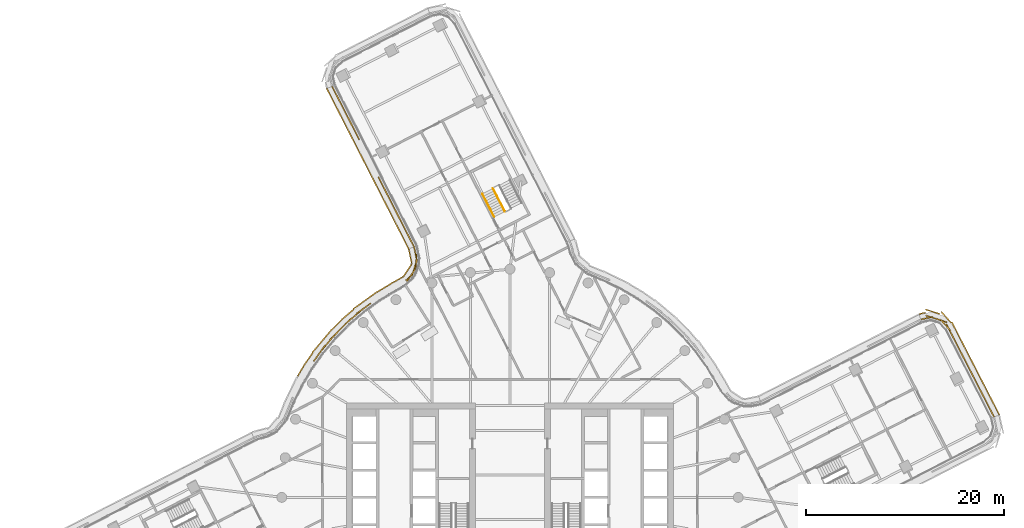
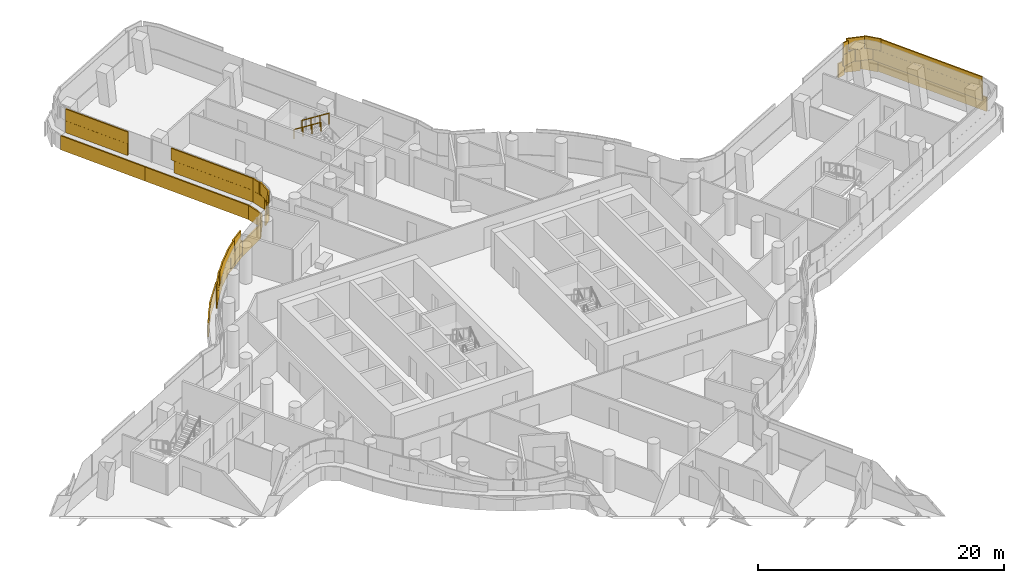
# One storey, part 34 of 37: 4 coverings, 2 railings.
"""IFC4 building model written with IfcOpenShell, lengths in metres."""

import ifcopenshell
import ifcopenshell.guid

model = None  # the IFC model being written
_history = None  # IfcOwnerHistory: only IFC2X3 demands one
_inside = {}  # id of a spatial element -> (the spatial element, [elements in it])
_under = {}  # id of a project, library or spatial element -> (it, [spatial elements below it])
_declared = {}  # id of a project -> (the project, [libraries it declares])
_typed = {}  # id of a type object -> (the type object, [elements of that type])
_made_of = {}  # id of a material, layer set ... -> (it, [elements and type objects made of it])


def new_model(schema):
    """Start an empty IFC model of exactly this schema.

    Asked for "IFC4X3", IfcOpenShell would pick the latest addendum, in which some entities
    have other attributes; the version numbers below select the first issue.
    IFC2X3 requires an IfcOwnerHistory on every rooted entity: one is made here for all.
    """
    global model, _history
    if schema == "IFC4X3":
        model = ifcopenshell.file(schema_version=(4, 3, 0, 0))
    else:
        model = ifcopenshell.file(schema=schema)
    _inside.clear()
    _under.clear()
    _declared.clear()
    _typed.clear()
    _made_of.clear()
    _history = None
    if model.schema == "IFC2X3":
        org = make("IfcOrganization", Name="unknown")
        user = make(
            "IfcPersonAndOrganization",
            ThePerson=make("IfcPerson", FamilyName="unknown"),
            TheOrganization=org,
        )
        app = make(
            "IfcApplication",
            ApplicationDeveloper=org,
            Version="unknown",
            ApplicationFullName="unknown",
            ApplicationIdentifier="unknown",
        )
        _history = make(
            "IfcOwnerHistory",
            OwningUser=user,
            OwningApplication=app,
            ChangeAction="ADDED",
            CreationDate=0,
        )
    return model


def make(cls, **values):
    """One entity of the class cls with the attributes given. An attribute that is None is left unset."""
    return model.create_entity(
        cls, **{name: value for name, value in values.items() if value is not None}
    )


def rooted(cls, **values):
    """An entity with a GlobalId (a new one), such as an element, a storey or a relation."""
    return make(cls, GlobalId=ifcopenshell.guid.new(), OwnerHistory=_history, **values)


def si_unit(unit_type, name, prefix=None):
    """IfcSIUnit, for example si_unit("LENGTHUNIT", "METRE", prefix="MILLI")."""
    return make("IfcSIUnit", UnitType=unit_type, Prefix=prefix, Name=name)


def assignment(units):
    """IfcUnitAssignment: the units of a project."""
    return None if units is None else make("IfcUnitAssignment", Units=units)


def point(xyz):
    """IfcCartesianPoint."""
    return None if xyz is None else make("IfcCartesianPoint", Coordinates=xyz)


def direction(xyz):
    """IfcDirection."""
    return None if xyz is None else make("IfcDirection", DirectionRatios=xyz)


def frame(location, z_axis=None, x_axis=None):
    """IfcAxis2Placement3D, a coordinate frame: its origin and axes. An axis left out is left unset."""
    return make(
        "IfcAxis2Placement3D",
        Location=point(location),
        Axis=direction(z_axis),
        RefDirection=direction(x_axis),
    )


def frame_2d(location, x_axis=None):
    """IfcAxis2Placement2D, a coordinate frame in the plane: its origin and x axis."""
    return make(
        "IfcAxis2Placement2D", Location=point(location), RefDirection=direction(x_axis)
    )


def origin():
    """The frame at (0, 0, 0) with its axes left unset."""
    return frame((0.0, 0.0, 0.0))


def origin_2d():
    """The frame at (0, 0) in the plane with its x axis left unset."""
    return frame_2d((0.0, 0.0))


def place(relative_to, where):
    """IfcLocalPlacement: puts the frame where relative to a parent placement (None: the world)."""
    return make(
        "IfcLocalPlacement", PlacementRelTo=relative_to, RelativePlacement=where
    )


def context(
    kind, dimensions, precision=None, world=None, true_north=None, identifier=None
):
    """IfcGeometricRepresentationContext, for example the 3D "Model" context."""
    return make(
        "IfcGeometricRepresentationContext",
        ContextIdentifier=identifier,
        ContextType=kind,
        CoordinateSpaceDimension=dimensions,
        Precision=precision,
        WorldCoordinateSystem=world,
        TrueNorth=true_north,
    )


def subcontext(parent, identifier, kind, view, scale=None):
    """IfcGeometricRepresentationSubContext, for example "Body" below "Model"."""
    return make(
        "IfcGeometricRepresentationSubContext",
        ContextIdentifier=identifier,
        ContextType=kind,
        ParentContext=parent,
        TargetScale=scale,
        TargetView=view,
    )


def project(units=None, contexts=None):
    """IfcProject with its units and contexts."""
    return rooted(
        "IfcProject",
        Name="project",
        RepresentationContexts=contexts,
        UnitsInContext=assignment(units),
    )


def spatial(cls, under=None, at=None, **own):
    """A site, building, storey or space (cls), placed at a placement, below another one or the project."""
    s = rooted(cls, ObjectPlacement=at, **own)
    if under is not None:
        _under.setdefault(under.id(), (under, []))[1].append(s)
    return s


def profile(cls, at=None, kind="AREA", **sizes):
    """A parametric profile (cls). Its sizes go by their IFC names, for example OverallWidth=200.0."""
    return make(cls, ProfileType=kind, Position=at, **sizes)


def rectangle(**sizes):
    """IfcRectangleProfileDef."""
    return profile("IfcRectangleProfileDef", **sizes)


def circle(**sizes):
    """IfcCircleProfileDef."""
    return profile("IfcCircleProfileDef", **sizes)


def extrude(swept, where, along, depth):
    """IfcExtrudedAreaSolid: the profile swept, set in the frame where, extruded along a direction by depth."""
    return make(
        "IfcExtrudedAreaSolid",
        SweptArea=swept,
        Position=where,
        ExtrudedDirection=direction(along),
        Depth=depth,
    )


def shape(context_of_items, identifier, shape_type, items):
    """IfcShapeRepresentation: the items that make up one representation, for example the "Body"."""
    return make(
        "IfcShapeRepresentation",
        ContextOfItems=context_of_items,
        RepresentationIdentifier=identifier,
        RepresentationType=shape_type,
        Items=items,
    )


def material(Name=None, Category=None):
    """IfcMaterial."""
    return make("IfcMaterial", Name=Name, Category=Category)


def layer(
    of_material, thickness, ventilated=None, Name=None, Category=None, Priority=None
):
    """IfcMaterialLayer: one layer of a wall or slab, of a material (None: an air gap)."""
    return make(
        "IfcMaterialLayer",
        Material=of_material,
        LayerThickness=thickness,
        IsVentilated=ventilated,
        Name=Name,
        Category=Category,
        Priority=Priority,
    )


def layer_set(layers, Name=None):
    """IfcMaterialLayerSet."""
    return make("IfcMaterialLayerSet", MaterialLayers=layers, LayerSetName=Name)


def made_of(thing, what):
    """Note that an element or type object is made of a material, layer set ...; save() writes the relation."""
    if what is not None:
        _made_of.setdefault(what.id(), (what, []))[1].append(thing)
    return thing


def type_object(cls, material=None, **own):
    """A type object (cls), such as IfcWallType, which elements share."""
    return made_of(rooted(cls, **own), material)


def element(
    cls,
    number,
    at=None,
    inside=None,
    cuts=None,
    type_object=None,
    material=None,
    context=None,
    identifier="Body",
    shape_type=None,
    held_by="IfcProductDefinitionShape",
    body=None,
    shapes=None,
    **own,
):
    """One element of the class cls, such as IfcWall. Its Tag is "e" and its number.

    at: its placement. inside: the storey or other place that contains it. cuts: it is an
    opening in that element (IfcRelVoidsElement). A single representation is given by context,
    identifier, shape_type and body (its items); several are given by shapes. held_by: the class
    of the entity that holds the representations. save() writes the other relations.
    """
    e = rooted(cls, Tag="e%d" % number, ObjectPlacement=at, **own)
    if body is not None:
        shapes = [shape(context, identifier, shape_type, body)]
    if shapes is not None:
        e.Representation = make(held_by, Representations=shapes)
    if inside is not None:
        _inside.setdefault(inside.id(), (inside, []))[1].append(e)
    if cuts is not None:
        rooted(
            "IfcRelVoidsElement", RelatingBuildingElement=cuts, RelatedOpeningElement=e
        )
    if type_object is not None:
        _typed.setdefault(type_object.id(), (type_object, []))[1].append(e)
    return made_of(e, material)


def aggregate(whole, parts):
    """IfcRelAggregates: a whole, such as a stair, and the parts it consists of."""
    return rooted("IfcRelAggregates", RelatingObject=whole, RelatedObjects=parts)


def save(model, path):
    """Write the relations noted so far, then the file.

    IfcRelAggregates (storeys below a building ...), IfcRelContainedInSpatialStructure (elements
    in a storey), IfcRelDefinesByType, IfcRelAssociatesMaterial and IfcRelDeclares: one each for
    every whole, place, type object, material and project.
    """
    for whole, parts in _under.values():
        aggregate(whole, parts)
    for where, things in _inside.values():
        rooted(
            "IfcRelContainedInSpatialStructure",
            RelatedElements=things,
            RelatingStructure=where,
        )
    for kind, things in _typed.values():
        rooted("IfcRelDefinesByType", RelatedObjects=things, RelatingType=kind)
    for what, things in _made_of.values():
        rooted("IfcRelAssociatesMaterial", RelatedObjects=things, RelatingMaterial=what)
    for by, libraries in _declared.values():
        rooted("IfcRelDeclares", RelatingContext=by, RelatedDefinitions=libraries)
    model.write(path)


model = new_model("IFC4")

# Units and contexts
model_context = context("Model", 3, precision=1e-05, world=origin(), true_north=direction((0.0, 1.0)))
body_context = subcontext(model_context, "Body", "Model", "MODEL_VIEW")
ifc_project = project(units=[si_unit("LENGTHUNIT", "METRE"), si_unit("AREAUNIT", "SQUARE_METRE"), si_unit("VOLUMEUNIT", "CUBIC_METRE"), si_unit("PLANEANGLEUNIT", "RADIAN"), si_unit("MASSUNIT", "GRAM", prefix="KILO")], contexts=[model_context])

# Site, building, storey
site_placement = place(None, origin())
site = spatial("IfcSite", under=ifc_project, at=site_placement, CompositionType="ELEMENT")
building_placement = place(site_placement, origin())
building = spatial("IfcBuilding", under=site, at=building_placement, Name="Tamarind Cross Interchange Tower", CompositionType="ELEMENT")
storey_placement = place(building_placement, frame((0.0, 0.0, 133.0)))
storey = spatial("IfcBuildingStorey", under=building, at=storey_placement, Name="L32", CompositionType="ELEMENT", Elevation=133.0)

# Railings
ifc_material_1 = material(Name="Stair guard")
railing_type_1 = type_object("IfcRailingType", Name="Stair guard", PredefinedType="GUARDRAIL", material=ifc_material_1)
railing_1_placement = place(storey_placement, frame((-1.70556640625, 31.128173828125, 2.04541015625)))
element("IfcRailing", 1, at=railing_1_placement, inside=storey, type_object=railing_type_1, Name="L32 ST4 stair guard 3", PredefinedType="GUARDRAIL", context=body_context, shape_type="SweptSolid", body=[
    extrude(circle(Radius=0.02392578125, at=origin_2d()), frame((0.0, 0.0, 1.076171875), z_axis=(0.381802773427, -0.744052093423, 0.548281975333), x_axis=(0.889702075766, 0.456541582309, 0.0)), (0.0, 0.0, 1.0), 3.10888671875),
    extrude(circle(Radius=0.02099609375, at=origin_2d()), origin(), (0.0, 0.0, 1.0), 1.052001953125),
    extrude(circle(Radius=0.02099609375, at=origin_2d()), frame((0.395751953125, -0.77099609375, 0.568115234375)), (0.0, 0.0, 1.0), 1.052001953125),
    extrude(circle(Radius=0.02099609375, at=origin_2d()), frame((0.791259765625, -1.542236328125, 1.136474609375)), (0.0, 0.0, 1.0), 1.052001953125),
    extrude(circle(Radius=0.02099609375, at=origin_2d()), frame((1.18701171875, -2.313232421875, 1.70458984375)), (0.0, 0.0, 1.0), 1.052001953125),
])
ifc_material_2 = material(Name="Stair handrail")
railing_type_2 = type_object("IfcRailingType", Name="Stair handrail", PredefinedType="HANDRAIL", material=ifc_material_2)
railing_2_placement = place(storey_placement, frame((-2.773193359375, 30.580322265625, 2.04541015625)))
element("IfcRailing", 2, at=railing_2_placement, inside=storey, type_object=railing_type_2, Name="L32 ST4 stair handrail 2", PredefinedType="HANDRAIL", context=body_context, shape_type="SweptSolid", body=[
    extrude(circle(Radius=0.02392578125, at=origin_2d()), frame((0.0, 0.0, 0.8759765625), z_axis=(0.381802773427, -0.744052093423, 0.548281975333), x_axis=(0.889702075766, 0.456541582309, 0.0)), (0.0, 0.0, 1.0), 3.10888671875),
    extrude(circle(Radius=0.02099609375, at=origin_2d()), origin(), (0.0, 0.0, 1.0), 0.851806640625),
    extrude(circle(Radius=0.02099609375, at=origin_2d()), frame((0.395751953125, -0.77099609375, 0.568115234375)), (0.0, 0.0, 1.0), 0.851806640625),
    extrude(circle(Radius=0.02099609375, at=origin_2d()), frame((0.791259765625, -1.542236328125, 1.136474609375)), (0.0, 0.0, 1.0), 0.851806640625),
    extrude(circle(Radius=0.02099609375, at=origin_2d()), frame((1.18701171875, -2.313232421875, 1.70458984375)), (0.0, 0.0, 1.0), 0.851806640625),
])

# Coverings
ifc_material_3 = material(Name="Terracotta", Category="masonry")
ifc_layer = layer(ifc_material_3, 0.1201171875)
ifc_layer_set = layer_set([ifc_layer], Name="Terracotta")
covering_type = type_object("IfcCoveringType", Name="Terracotta baguette screen unit", PredefinedType="MOLDING", material=ifc_layer_set)
covering_1_placement = place(storey_placement, origin())
element("IfcCovering", 3, at=covering_1_placement, inside=storey, type_object=covering_type, Name="SCR-L32-08-00", PredefinedType="MOLDING", context=body_context, shape_type="SweptSolid", body=[
    extrude(rectangle(XDim=1.510009765625, YDim=0.1201171875, at=origin_2d()), frame((48.431884765625, 8.7734375, 1.404052734375), z_axis=(0.0, 0.0, 1.0), x_axis=(-0.456551422638, 0.889697026233, 0.0)), (0.0, 0.0, 1.0), 1.1669921875),
    extrude(rectangle(XDim=1.52001953125, YDim=0.1201171875, at=origin_2d()), frame((47.7470703125, 10.10791015625, 1.404052734375), z_axis=(0.0, 0.0, 1.0), x_axis=(-0.456551422638, 0.889697026233, 0.0)), (0.0, 0.0, 1.0), 1.1669921875),
    extrude(rectangle(XDim=1.52001953125, YDim=0.1201171875, at=origin_2d()), frame((47.062255859375, 11.442626953125, 1.404052734375), z_axis=(0.0, 0.0, 1.0), x_axis=(-0.456551422638, 0.889697026233, 0.0)), (0.0, 0.0, 1.0), 1.1669921875),
    extrude(rectangle(XDim=1.52001953125, YDim=0.1201171875, at=origin_2d()), frame((46.37744140625, 12.777099609375, 1.404052734375), z_axis=(0.0, 0.0, 1.0), x_axis=(-0.456551422638, 0.889697026233, 0.0)), (0.0, 0.0, 1.0), 1.1669921875),
    extrude(rectangle(XDim=1.52001953125, YDim=0.1201171875, at=origin_2d()), frame((45.692626953125, 14.111572265625, 1.404052734375), z_axis=(0.0, 0.0, 1.0), x_axis=(-0.456551422638, 0.889697026233, 0.0)), (0.0, 0.0, 1.0), 1.1669921875),
    extrude(rectangle(XDim=1.52001953125, YDim=0.1201171875, at=origin_2d()), frame((45.0078125, 15.446044921875, 1.404052734375), z_axis=(0.0, 0.0, 1.0), x_axis=(-0.456551422638, 0.889697026233, 0.0)), (0.0, 0.0, 1.0), 1.1669921875),
    extrude(rectangle(XDim=1.52001953125, YDim=0.1201171875, at=origin_2d()), frame((44.322998046875, 16.78076171875, 1.404052734375), z_axis=(0.0, 0.0, 1.0), x_axis=(-0.456551422638, 0.889697026233, 0.0)), (0.0, 0.0, 1.0), 1.1669921875),
    extrude(rectangle(XDim=1.52001953125, YDim=0.1201171875, at=origin_2d()), frame((43.331298828125, 17.86572265625, 1.404052734375), z_axis=(0.0, 0.0, 1.0), x_axis=(-0.951941407358, 0.306280193543, 0.0)), (0.0, 0.0, 1.0), 1.1669921875),
    extrude(rectangle(XDim=1.259521484375, YDim=0.1201171875, at=origin_2d()), frame((42.01123046875, 18.05615234375, 1.404052734375), z_axis=(0.0, 0.0, 1.0), x_axis=(-0.977545538458, -0.210724275394, 0.0)), (0.0, 0.0, 1.0), 1.1669921875),
    extrude(rectangle(XDim=0.760009765625, YDim=0.1201171875, at=origin_2d()), frame((48.603271484375, 8.439697265625, 2.5791015625), z_axis=(0.0, 0.0, 1.0), x_axis=(-0.456551422638, 0.889697026233, 0.0)), (0.0, 0.0, 1.0), 1.1669921875),
    extrude(rectangle(XDim=1.52001953125, YDim=0.1201171875, at=origin_2d()), frame((48.089599609375, 9.440673828125, 2.5791015625), z_axis=(0.0, 0.0, 1.0), x_axis=(-0.456551422638, 0.889697026233, 0.0)), (0.0, 0.0, 1.0), 1.1669921875),
    extrude(rectangle(XDim=1.52001953125, YDim=0.1201171875, at=origin_2d()), frame((47.40478515625, 10.775146484375, 2.5791015625), z_axis=(0.0, 0.0, 1.0), x_axis=(-0.456551422638, 0.889697026233, 0.0)), (0.0, 0.0, 1.0), 1.1669921875),
    extrude(rectangle(XDim=1.52001953125, YDim=0.1201171875, at=origin_2d()), frame((46.719970703125, 12.10986328125, 2.5791015625), z_axis=(0.0, 0.0, 1.0), x_axis=(-0.456551422638, 0.889697026233, 0.0)), (0.0, 0.0, 1.0), 1.1669921875),
    extrude(rectangle(XDim=1.52001953125, YDim=0.1201171875, at=origin_2d()), frame((46.03515625, 13.4443359375, 2.5791015625), z_axis=(0.0, 0.0, 1.0), x_axis=(-0.456551422638, 0.889697026233, 0.0)), (0.0, 0.0, 1.0), 1.1669921875),
    extrude(rectangle(XDim=1.52001953125, YDim=0.1201171875, at=origin_2d()), frame((45.350341796875, 14.77880859375, 2.5791015625), z_axis=(0.0, 0.0, 1.0), x_axis=(-0.456551422638, 0.889697026233, 0.0)), (0.0, 0.0, 1.0), 1.1669921875),
    extrude(rectangle(XDim=1.52001953125, YDim=0.1201171875, at=origin_2d()), frame((44.66552734375, 16.113525390625, 2.5791015625), z_axis=(0.0, 0.0, 1.0), x_axis=(-0.456551422638, 0.889697026233, 0.0)), (0.0, 0.0, 1.0), 1.1669921875),
    extrude(rectangle(XDim=1.52001953125, YDim=0.1201171875, at=origin_2d()), frame((43.87841796875, 17.377197265625, 2.5791015625), z_axis=(0.0, 0.0, 1.0), x_axis=(-0.671265344915, 0.741217131964, 0.0)), (0.0, 0.0, 1.0), 1.1669921875),
    extrude(rectangle(XDim=1.52001953125, YDim=0.1201171875, at=origin_2d()), frame((42.617431640625, 18.095458984375, 2.5791015625), z_axis=(0.0, 0.0, 1.0), x_axis=(-0.951941407358, 0.306280193543, 0.0)), (0.0, 0.0, 1.0), 1.1669921875),
    extrude(rectangle(XDim=0.509521484375, YDim=0.1201171875, at=origin_2d()), frame((41.64453125, 17.97705078125, 2.5791015625), z_axis=(0.0, 0.0, 1.0), x_axis=(-0.977545538458, -0.210724275394, 0.0)), (0.0, 0.0, 1.0), 1.1669921875),
    extrude(rectangle(XDim=1.510009765625, YDim=0.1201171875, at=origin_2d()), frame((48.974853515625, 8.97265625, 0.00390625), z_axis=(0.0, 0.0, 1.0), x_axis=(-0.456551422638, 0.889697026233, 0.0)), (0.0, 0.0, 1.0), 1.39208984375),
    extrude(rectangle(XDim=1.52001953125, YDim=0.1201171875, at=origin_2d()), frame((48.292236328125, 10.302734375, 0.00390625), z_axis=(0.0, 0.0, 1.0), x_axis=(-0.456551422638, 0.889697026233, 0.0)), (0.0, 0.0, 1.0), 1.39208984375),
    extrude(rectangle(XDim=1.52001953125, YDim=0.1201171875, at=origin_2d()), frame((47.607421875, 11.637451171875, 0.00390625), z_axis=(0.0, 0.0, 1.0), x_axis=(-0.456551422638, 0.889697026233, 0.0)), (0.0, 0.0, 1.0), 1.39208984375),
    extrude(rectangle(XDim=1.52001953125, YDim=0.1201171875, at=origin_2d()), frame((46.922607421875, 12.971923828125, 0.00390625), z_axis=(0.0, 0.0, 1.0), x_axis=(-0.456551422638, 0.889697026233, 0.0)), (0.0, 0.0, 1.0), 1.39208984375),
    extrude(rectangle(XDim=1.52001953125, YDim=0.1201171875, at=origin_2d()), frame((46.23779296875, 14.306396484375, 0.00390625), z_axis=(0.0, 0.0, 1.0), x_axis=(-0.456551422638, 0.889697026233, 0.0)), (0.0, 0.0, 1.0), 1.39208984375),
    extrude(rectangle(XDim=1.52001953125, YDim=0.1201171875, at=origin_2d()), frame((45.552978515625, 15.640869140625, 0.00390625), z_axis=(0.0, 0.0, 1.0), x_axis=(-0.456551422638, 0.889697026233, 0.0)), (0.0, 0.0, 1.0), 1.39208984375),
    extrude(rectangle(XDim=1.52001953125, YDim=0.1201171875, at=origin_2d()), frame((44.8681640625, 16.9755859375, 0.00390625), z_axis=(0.0, 0.0, 1.0), x_axis=(-0.456551422638, 0.889697026233, 0.0)), (0.0, 0.0, 1.0), 1.39208984375),
    extrude(rectangle(XDim=1.52001953125, YDim=0.1201171875, at=origin_2d()), frame((43.952392578125, 18.150390625, 0.00390625), z_axis=(0.0, 0.0, 1.0), x_axis=(-0.671265344915, 0.741217131964, 0.0)), (0.0, 0.0, 1.0), 1.39208984375),
    extrude(rectangle(XDim=1.52001953125, YDim=0.1201171875, at=origin_2d()), frame((42.587890625, 18.7080078125, 0.00390625), z_axis=(0.0, 0.0, 1.0), x_axis=(-0.951941407358, 0.306280193543, 0.0)), (0.0, 0.0, 1.0), 1.39208984375),
    extrude(rectangle(XDim=0.676513671875, YDim=0.1201171875, at=origin_2d()), frame((41.536865234375, 18.541015625, 0.00390625), z_axis=(0.0, 0.0, 1.0), x_axis=(-0.977545538458, -0.210724275394, 0.0)), (0.0, 0.0, 1.0), 1.39208984375),
])
covering_2_placement = place(storey_placement, origin())
element("IfcCovering", 4, at=covering_2_placement, inside=storey, type_object=covering_type, Name="SCR-L32-13-00", PredefinedType="MOLDING", context=body_context, shape_type="SweptSolid", body=[
    extrude(rectangle(XDim=1.510009765625, YDim=0.1201171875, at=origin_2d()), frame((-17.583251953125, 40.732421875, 1.404052734375), z_axis=(0.0, 0.0, 1.0), x_axis=(0.454846512766, -0.890569845562, 0.0)), (0.0, 0.0, 1.0), 1.1669921875),
    extrude(rectangle(XDim=1.52001953125, YDim=0.1201171875, at=origin_2d()), frame((-16.90087890625, 39.396728515625, 1.404052734375), z_axis=(0.0, 0.0, 1.0), x_axis=(0.454846512766, -0.890569845562, 0.0)), (0.0, 0.0, 1.0), 1.1669921875),
    extrude(rectangle(XDim=1.52001953125, YDim=0.1201171875, at=origin_2d()), frame((-16.21875, 38.060791015625, 1.404052734375), z_axis=(0.0, 0.0, 1.0), x_axis=(0.454846512766, -0.890569845562, 0.0)), (0.0, 0.0, 1.0), 1.1669921875),
    extrude(rectangle(XDim=1.52001953125, YDim=0.1201171875, at=origin_2d()), frame((-15.536376953125, 36.724853515625, 1.404052734375), z_axis=(0.0, 0.0, 1.0), x_axis=(0.454846512766, -0.890569845562, 0.0)), (0.0, 0.0, 1.0), 1.1669921875),
    extrude(rectangle(XDim=0.760009765625, YDim=0.1201171875, at=origin_2d()), frame((-17.75390625, 41.06640625, 2.5791015625), z_axis=(0.0, 0.0, 1.0), x_axis=(0.454846512766, -0.890569845562, 0.0)), (0.0, 0.0, 1.0), 1.1669921875),
    extrude(rectangle(XDim=1.52001953125, YDim=0.1201171875, at=origin_2d()), frame((-17.2421875, 40.064453125, 2.5791015625), z_axis=(0.0, 0.0, 1.0), x_axis=(0.454846512766, -0.890569845562, 0.0)), (0.0, 0.0, 1.0), 1.1669921875),
    extrude(rectangle(XDim=1.52001953125, YDim=0.1201171875, at=origin_2d()), frame((-16.559814453125, 38.728759765625, 2.5791015625), z_axis=(0.0, 0.0, 1.0), x_axis=(0.454846512766, -0.890569845562, 0.0)), (0.0, 0.0, 1.0), 1.1669921875),
    extrude(rectangle(XDim=1.52001953125, YDim=0.1201171875, at=origin_2d()), frame((-15.877685546875, 37.392822265625, 2.5791015625), z_axis=(0.0, 0.0, 1.0), x_axis=(0.454846512766, -0.890569845562, 0.0)), (0.0, 0.0, 1.0), 1.1669921875),
    extrude(rectangle(XDim=0.7919921875, YDim=0.1201171875, at=origin_2d()), frame((-15.358642578125, 36.376708984375, 2.5791015625), z_axis=(0.0, 0.0, 1.0), x_axis=(0.454846512766, -0.890569845562, 0.0)), (0.0, 0.0, 1.0), 1.1669921875),
    extrude(rectangle(XDim=1.510009765625, YDim=0.1201171875, at=origin_2d()), frame((-18.126220703125, 40.53369140625, 0.00390625), z_axis=(0.0, 0.0, 1.0), x_axis=(0.454846512766, -0.890569845562, 0.0)), (0.0, 0.0, 1.0), 1.39208984375),
    extrude(rectangle(XDim=1.52001953125, YDim=0.1201171875, at=origin_2d()), frame((-17.4462890625, 39.202392578125, 0.00390625), z_axis=(0.0, 0.0, 1.0), x_axis=(0.454846512766, -0.890569845562, 0.0)), (0.0, 0.0, 1.0), 1.39208984375),
    extrude(rectangle(XDim=1.52001953125, YDim=0.1201171875, at=origin_2d()), frame((-16.763916015625, 37.866455078125, 0.00390625), z_axis=(0.0, 0.0, 1.0), x_axis=(0.454846512766, -0.890569845562, 0.0)), (0.0, 0.0, 1.0), 1.39208984375),
    extrude(rectangle(XDim=1.52001953125, YDim=0.1201171875, at=origin_2d()), frame((-16.081787109375, 36.53076171875, 0.00390625), z_axis=(0.0, 0.0, 1.0), x_axis=(0.454846512766, -0.890569845562, 0.0)), (0.0, 0.0, 1.0), 1.39208984375),
    extrude(rectangle(XDim=1.52001953125, YDim=0.1201171875, at=origin_2d()), frame((-15.3994140625, 35.19482421875, 0.00390625), z_axis=(0.0, 0.0, 1.0), x_axis=(0.454846512766, -0.890569845562, 0.0)), (0.0, 0.0, 1.0), 1.39208984375),
    extrude(rectangle(XDim=0.6416015625, YDim=0.1201171875, at=origin_2d()), frame((-14.9169921875, 34.25, 0.00390625), z_axis=(0.0, 0.0, 1.0), x_axis=(0.454846512766, -0.890569845562, 0.0)), (0.0, 0.0, 1.0), 1.39208984375),
])
covering_3_placement = place(storey_placement, origin())
element("IfcCovering", 5, at=covering_3_placement, inside=storey, type_object=covering_type, Name="SCR-L32-13-01", PredefinedType="MOLDING", context=body_context, shape_type="SweptSolid", body=[
    extrude(rectangle(XDim=1.52001953125, YDim=0.1201171875, at=origin_2d()), frame((-12.807373046875, 31.381591796875, 1.404052734375), z_axis=(0.0, 0.0, 1.0), x_axis=(0.454846512766, -0.890569845562, 0.0)), (0.0, 0.0, 1.0), 1.1669921875),
    extrude(rectangle(XDim=1.52001953125, YDim=0.1201171875, at=origin_2d()), frame((-12.125, 30.045654296875, 1.404052734375), z_axis=(0.0, 0.0, 1.0), x_axis=(0.454846512766, -0.890569845562, 0.0)), (0.0, 0.0, 1.0), 1.1669921875),
    extrude(rectangle(XDim=1.52001953125, YDim=0.1201171875, at=origin_2d()), frame((-11.44287109375, 28.709716796875, 1.404052734375), z_axis=(0.0, 0.0, 1.0), x_axis=(0.454846512766, -0.890569845562, 0.0)), (0.0, 0.0, 1.0), 1.1669921875),
    extrude(rectangle(XDim=1.52001953125, YDim=0.1201171875, at=origin_2d()), frame((-10.760498046875, 27.3740234375, 1.404052734375), z_axis=(0.0, 0.0, 1.0), x_axis=(0.454846512766, -0.890569845562, 0.0)), (0.0, 0.0, 1.0), 1.1669921875),
    extrude(rectangle(XDim=1.52001953125, YDim=0.1201171875, at=origin_2d()), frame((-10.078369140625, 26.0380859375, 1.404052734375), z_axis=(0.0, 0.0, 1.0), x_axis=(0.454846512766, -0.890569845562, 0.0)), (0.0, 0.0, 1.0), 1.1669921875),
    extrude(rectangle(XDim=0.159423828125, YDim=0.1201171875, at=origin_2d()), frame((-9.703125, 25.303466796875, 1.404052734375), z_axis=(0.0, 0.0, 1.0), x_axis=(0.454846512766, -0.890569845562, 0.0)), (0.0, 0.0, 1.0), 1.1669921875),
    extrude(rectangle(XDim=1.028076171875, YDim=0.1201171875, at=origin_2d()), frame((-13.038818359375, 31.834716796875, 2.5791015625), z_axis=(0.0, 0.0, 1.0), x_axis=(0.454846512766, -0.890569845562, 0.0)), (0.0, 0.0, 1.0), 1.1669921875),
    extrude(rectangle(XDim=1.52001953125, YDim=0.1201171875, at=origin_2d()), frame((-12.46630859375, 30.713623046875, 2.5791015625), z_axis=(0.0, 0.0, 1.0), x_axis=(0.454846512766, -0.890569845562, 0.0)), (0.0, 0.0, 1.0), 1.1669921875),
    extrude(rectangle(XDim=1.52001953125, YDim=0.1201171875, at=origin_2d()), frame((-11.783935546875, 29.377685546875, 2.5791015625), z_axis=(0.0, 0.0, 1.0), x_axis=(0.454846512766, -0.890569845562, 0.0)), (0.0, 0.0, 1.0), 1.1669921875),
    extrude(rectangle(XDim=1.52001953125, YDim=0.1201171875, at=origin_2d()), frame((-11.1015625, 28.041748046875, 2.5791015625), z_axis=(0.0, 0.0, 1.0), x_axis=(0.454846512766, -0.890569845562, 0.0)), (0.0, 0.0, 1.0), 1.1669921875),
    extrude(rectangle(XDim=1.52001953125, YDim=0.1201171875, at=origin_2d()), frame((-10.41943359375, 26.7060546875, 2.5791015625), z_axis=(0.0, 0.0, 1.0), x_axis=(0.454846512766, -0.890569845562, 0.0)), (0.0, 0.0, 1.0), 1.1669921875),
    extrude(rectangle(XDim=0.909423828125, YDim=0.1201171875, at=origin_2d()), frame((-9.873779296875, 25.637451171875, 2.5791015625), z_axis=(0.0, 0.0, 1.0), x_axis=(0.454846512766, -0.890569845562, 0.0)), (0.0, 0.0, 1.0), 1.1669921875),
    extrude(rectangle(XDim=0.87841796875, YDim=0.1201171875, at=origin_2d()), frame((-14.5712890625, 33.5732421875, 0.00390625), z_axis=(0.0, 0.0, 1.0), x_axis=(0.454846512766, -0.890569845562, 0.0)), (0.0, 0.0, 1.0), 1.39208984375),
    extrude(rectangle(XDim=1.52001953125, YDim=0.1201171875, at=origin_2d()), frame((-14.034912109375, 32.523193359375, 0.00390625), z_axis=(0.0, 0.0, 1.0), x_axis=(0.454846512766, -0.890569845562, 0.0)), (0.0, 0.0, 1.0), 1.39208984375),
    extrude(rectangle(XDim=1.52001953125, YDim=0.1201171875, at=origin_2d()), frame((-13.3525390625, 31.187255859375, 0.00390625), z_axis=(0.0, 0.0, 1.0), x_axis=(0.454846512766, -0.890569845562, 0.0)), (0.0, 0.0, 1.0), 1.39208984375),
    extrude(rectangle(XDim=1.52001953125, YDim=0.1201171875, at=origin_2d()), frame((-12.67041015625, 29.851318359375, 0.00390625), z_axis=(0.0, 0.0, 1.0), x_axis=(0.454846512766, -0.890569845562, 0.0)), (0.0, 0.0, 1.0), 1.39208984375),
    extrude(rectangle(XDim=1.52001953125, YDim=0.1201171875, at=origin_2d()), frame((-11.988037109375, 28.515625, 0.00390625), z_axis=(0.0, 0.0, 1.0), x_axis=(0.454846512766, -0.890569845562, 0.0)), (0.0, 0.0, 1.0), 1.39208984375),
    extrude(rectangle(XDim=1.52001953125, YDim=0.1201171875, at=origin_2d()), frame((-11.305908203125, 27.1796875, 0.00390625), z_axis=(0.0, 0.0, 1.0), x_axis=(0.454846512766, -0.890569845562, 0.0)), (0.0, 0.0, 1.0), 1.39208984375),
    extrude(rectangle(XDim=1.52001953125, YDim=0.1201171875, at=origin_2d()), frame((-10.62353515625, 25.84375, 0.00390625), z_axis=(0.0, 0.0, 1.0), x_axis=(0.454846512766, -0.890569845562, 0.0)), (0.0, 0.0, 1.0), 1.39208984375),
    extrude(rectangle(XDim=0.15869140625, YDim=0.1201171875, at=origin_2d()), frame((-10.2509765625, 25.1142578125, 0.00390625), z_axis=(0.0, 0.0, 1.0), x_axis=(0.454846512766, -0.890569845562, 0.0)), (0.0, 0.0, 1.0), 1.39208984375),
])
covering_4_placement = place(storey_placement, origin())
element("IfcCovering", 6, at=covering_4_placement, inside=storey, type_object=covering_type, Name="SCR-L32-14-00", PredefinedType="MOLDING", context=body_context, shape_type="SweptSolid", body=[
    extrude(rectangle(XDim=1.510009765625, YDim=0.1201171875, at=origin_2d()), frame((-9.513427734375, 24.50341796875, 1.404052734375), z_axis=(0.0, 0.0, 1.0), x_axis=(0.207560655283, -0.97822214981, 0.0)), (0.0, 0.0, 1.0), 1.1669921875),
    extrude(rectangle(XDim=1.52001953125, YDim=0.1201171875, at=origin_2d()), frame((-9.65087890625, 23.0439453125, 1.404052734375), z_axis=(0.0, 0.0, 1.0), x_axis=(-0.315504691022, -0.948924016949, 0.0)), (0.0, 0.0, 1.0), 1.1669921875),
    extrude(rectangle(XDim=0.767822265625, YDim=0.1201171875, at=origin_2d()), frame((-10.226318359375, 22.097412109375, 1.404052734375), z_axis=(0.0, 0.0, 1.0), x_axis=(-0.751977964795, -0.659188243571, 0.0)), (0.0, 0.0, 1.0), 1.1669921875),
    extrude(rectangle(XDim=1.052001953125, YDim=0.1201171875, at=origin_2d()), frame((-14.4443359375, 19.254150390625, 1.404052734375), z_axis=(0.0, 0.0, 1.0), x_axis=(-0.811340475102, -0.584573890505, 0.0)), (0.0, 0.0, 1.0), 1.1669921875),
    extrude(rectangle(XDim=1.52001953125, YDim=0.1201171875, at=origin_2d()), frame((-15.437744140625, 18.463134765625, 1.404052734375), z_axis=(0.0, 0.0, 1.0), x_axis=(-0.760295606781, -0.64957723968, 0.0)), (0.0, 0.0, 1.0), 1.1669921875),
    extrude(rectangle(XDim=1.52001953125, YDim=0.1201171875, at=origin_2d()), frame((-16.564208984375, 17.4736328125, 1.404052734375), z_axis=(0.0, 0.0, 1.0), x_axis=(-0.704057148523, -0.710143317658, 0.0)), (0.0, 0.0, 1.0), 1.1669921875),
    extrude(rectangle(XDim=1.52001953125, YDim=0.1201171875, at=origin_2d()), frame((-17.620361328125, 16.408447265625, 1.404052734375), z_axis=(0.0, 0.0, 1.0), x_axis=(-0.704057148523, -0.710143317658, 0.0)), (0.0, 0.0, 1.0), 1.1669921875),
    extrude(rectangle(XDim=1.52001953125, YDim=0.1201171875, at=origin_2d()), frame((-18.599609375, 15.273193359375, 1.404052734375), z_axis=(0.0, 0.0, 1.0), x_axis=(-0.643009266048, -0.765858396687, 0.0)), (0.0, 0.0, 1.0), 1.1669921875),
    extrude(rectangle(XDim=1.228759765625, YDim=0.1201171875, at=origin_2d()), frame((-19.4326171875, 14.200439453125, 1.404052734375), z_axis=(0.0, 0.0, 1.0), x_axis=(-0.577568978284, -0.816341886298, 0.0)), (0.0, 0.0, 1.0), 1.1669921875),
    extrude(rectangle(XDim=0.760009765625, YDim=0.1201171875, at=origin_2d()), frame((-9.59130859375, 24.8701171875, 2.5791015625), z_axis=(0.0, 0.0, 1.0), x_axis=(0.207560655283, -0.97822214981, 0.0)), (0.0, 0.0, 1.0), 1.1669921875),
    extrude(rectangle(XDim=1.52001953125, YDim=0.1201171875, at=origin_2d()), frame((-9.450439453125, 23.762451171875, 2.5791015625), z_axis=(0.0, 0.0, 1.0), x_axis=(-0.055924715996, -0.99843498844, 0.0)), (0.0, 0.0, 1.0), 1.1669921875),
    extrude(rectangle(XDim=1.52001953125, YDim=0.1201171875, at=origin_2d()), frame((-9.969970703125, 22.372314453125, 2.5791015625), z_axis=(0.0, 0.0, 1.0), x_axis=(-0.553051995479, -0.833146739955, 0.0)), (0.0, 0.0, 1.0), 1.1669921875),
    extrude(rectangle(XDim=1.52001953125, YDim=0.1201171875, at=origin_2d()), frame((-14.866943359375, 18.949462890625, 2.5791015625), z_axis=(0.0, 0.0, 1.0), x_axis=(-0.811340475102, -0.584573890505, 0.0)), (0.0, 0.0, 1.0), 1.1669921875),
    extrude(rectangle(XDim=1.52001953125, YDim=0.1201171875, at=origin_2d()), frame((-16.008056640625, 17.975830078125, 2.5791015625), z_axis=(0.0, 0.0, 1.0), x_axis=(-0.760295606781, -0.64957723968, 0.0)), (0.0, 0.0, 1.0), 1.1669921875),
    extrude(rectangle(XDim=1.52001953125, YDim=0.1201171875, at=origin_2d()), frame((-17.09228515625, 16.941162109375, 2.5791015625), z_axis=(0.0, 0.0, 1.0), x_axis=(-0.704057148523, -0.710143317658, 0.0)), (0.0, 0.0, 1.0), 1.1669921875),
    extrude(rectangle(XDim=1.52001953125, YDim=0.1201171875, at=origin_2d()), frame((-18.117431640625, 15.847412109375, 2.5791015625), z_axis=(0.0, 0.0, 1.0), x_axis=(-0.643009266048, -0.765858396687, 0.0)), (0.0, 0.0, 1.0), 1.1669921875),
    extrude(rectangle(XDim=1.52001953125, YDim=0.1201171875, at=origin_2d()), frame((-19.080810546875, 14.69775390625, 2.5791015625), z_axis=(0.0, 0.0, 1.0), x_axis=(-0.577568978284, -0.816341886298, 0.0)), (0.0, 0.0, 1.0), 1.1669921875),
    extrude(rectangle(XDim=0.478759765625, YDim=0.1201171875, at=origin_2d()), frame((-19.649169921875, 13.894287109375, 2.5791015625), z_axis=(0.0, 0.0, 1.0), x_axis=(-0.577568978284, -0.816341886298, 0.0)), (0.0, 0.0, 1.0), 1.1669921875),
    extrude(rectangle(XDim=1.510009765625, YDim=0.1201171875, at=origin_2d()), frame((-10.05810546875, 24.304931640625, 0.00390625), z_axis=(0.0, 0.0, 1.0), x_axis=(0.207560655283, -0.97822214981, 0.0)), (0.0, 0.0, 1.0), 1.39208984375),
    extrude(rectangle(XDim=1.52001953125, YDim=0.1201171875, at=origin_2d()), frame((-10.329345703125, 22.868896484375, 0.00390625), z_axis=(0.0, 0.0, 1.0), x_axis=(-0.553051995479, -0.833146739955, 0.0)), (0.0, 0.0, 1.0), 1.39208984375),
    extrude(rectangle(XDim=1.52001953125, YDim=0.1201171875, at=origin_2d()), frame((-11.42529296875, 21.865234375, 0.00390625), z_axis=(0.0, 0.0, 1.0), x_axis=(-0.871328621761, -0.490699941818, 0.0)), (0.0, 0.0, 1.0), 1.39208984375),
    extrude(rectangle(XDim=1.52001953125, YDim=0.1201171875, at=origin_2d()), frame((-12.717529296875, 21.103759765625, 0.00390625), z_axis=(0.0, 0.0, 1.0), x_axis=(-0.856843065292, -0.515577308909, 0.0)), (0.0, 0.0, 1.0), 1.39208984375),
    extrude(rectangle(XDim=1.52001953125, YDim=0.1201171875, at=origin_2d()), frame((-13.97998046875, 20.296142578125, 0.00390625), z_axis=(0.0, 0.0, 1.0), x_axis=(-0.811340475102, -0.584573890505, 0.0)), (0.0, 0.0, 1.0), 1.39208984375),
    extrude(rectangle(XDim=1.52001953125, YDim=0.1201171875, at=origin_2d()), frame((-15.197021484375, 19.419189453125, 0.00390625), z_axis=(0.0, 0.0, 1.0), x_axis=(-0.811340475102, -0.584573890505, 0.0)), (0.0, 0.0, 1.0), 1.39208984375),
    extrude(rectangle(XDim=1.52001953125, YDim=0.1201171875, at=origin_2d()), frame((-16.339599609375, 18.447509765625, 0.00390625), z_axis=(0.0, 0.0, 1.0), x_axis=(-0.760295606781, -0.64957723968, 0.0)), (0.0, 0.0, 1.0), 1.39208984375),
    extrude(rectangle(XDim=1.52001953125, YDim=0.1201171875, at=origin_2d()), frame((-17.42822265625, 17.41748046875, 0.00390625), z_axis=(0.0, 0.0, 1.0), x_axis=(-0.704057148523, -0.710143317658, 0.0)), (0.0, 0.0, 1.0), 1.39208984375),
    extrude(rectangle(XDim=1.52001953125, YDim=0.1201171875, at=origin_2d()), frame((-18.4609375, 16.330810546875, 0.00390625), z_axis=(0.0, 0.0, 1.0), x_axis=(-0.643009266048, -0.765858396687, 0.0)), (0.0, 0.0, 1.0), 1.39208984375),
    extrude(rectangle(XDim=1.52001953125, YDim=0.1201171875, at=origin_2d()), frame((-19.425537109375, 15.18212890625, 0.00390625), z_axis=(0.0, 0.0, 1.0), x_axis=(-0.643009266048, -0.765858396687, 0.0)), (0.0, 0.0, 1.0), 1.39208984375),
    extrude(rectangle(XDim=1.52001953125, YDim=0.1201171875, at=origin_2d()), frame((-20.302001953125, 13.965576171875, 0.00390625), z_axis=(0.0, 0.0, 1.0), x_axis=(-0.577568978284, -0.816341886298, 0.0)), (0.0, 0.0, 1.0), 1.39208984375),
    extrude(rectangle(XDim=1.331298828125, YDim=0.1201171875, at=origin_2d()), frame((-21.064453125, 12.7861328125, 0.00390625), z_axis=(0.0, 0.0, 1.0), x_axis=(-0.508183308752, -0.861248933065, 0.0)), (0.0, 0.0, 1.0), 1.39208984375),
])

save(model, "model.ifc")
